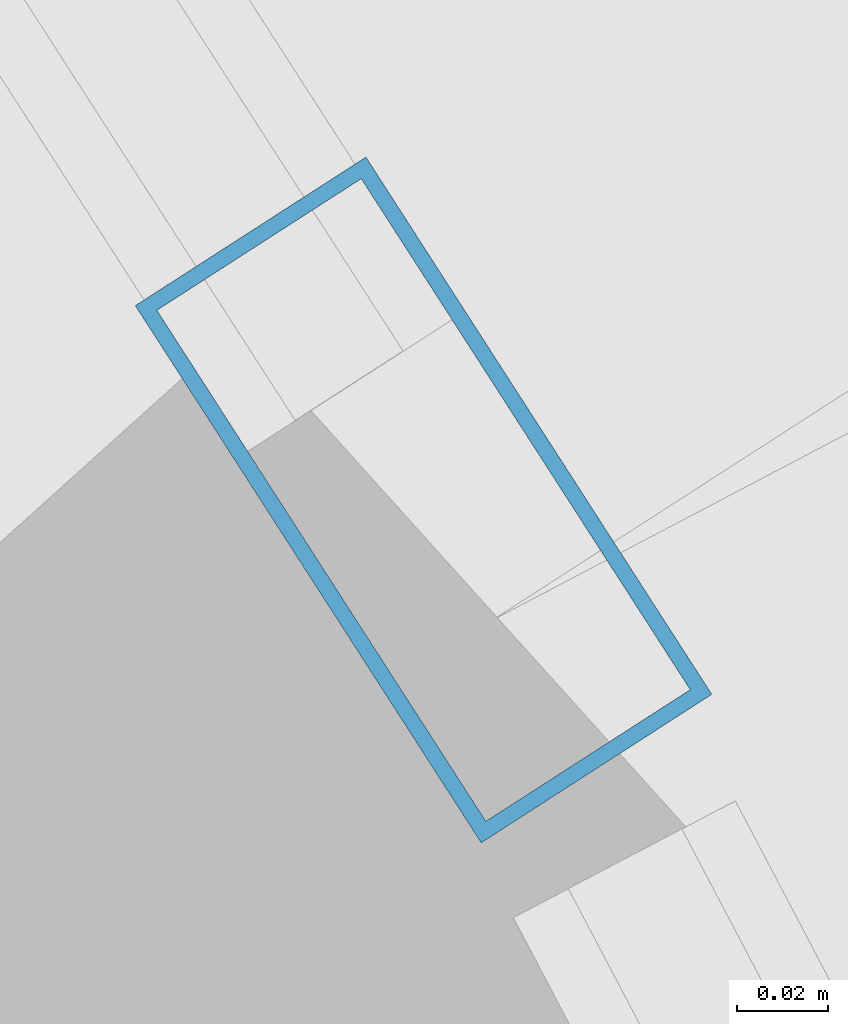
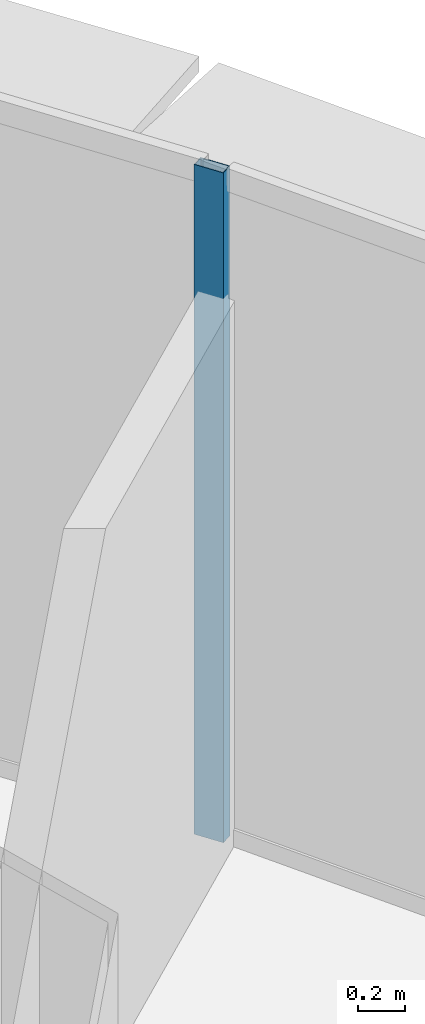
# One storey, part 18 of 34: 1 member, 1 element without a shape of its own.
"""IFC4 building model written with IfcOpenShell, lengths in metres."""

from ifc_helpers import new_model, si_unit, direction, frame, origin, origin_2d, place, context, subcontext, project, spatial, hollow_rectangle, extrude, source, transform, mapped, material, layer, layer_set, material_profile, profile_set, type_object, element, aggregate, save


model = new_model("IFC4")

# Units and contexts
model_context = context("Model", 3, precision=1e-05, world=origin(), true_north=direction((0.0, 1.0)))
body_context = subcontext(model_context, "Body", "Model", "MODEL_VIEW")
ifc_project = project(units=[si_unit("LENGTHUNIT", "METRE"), si_unit("AREAUNIT", "SQUARE_METRE"), si_unit("VOLUMEUNIT", "CUBIC_METRE"), si_unit("PLANEANGLEUNIT", "RADIAN"), si_unit("MASSUNIT", "GRAM", prefix="KILO"), si_unit("THERMODYNAMICTEMPERATUREUNIT", "KELVIN"), si_unit("POWERUNIT", "WATT")], contexts=[model_context])

# Site, building, storey
site_placement = place(None, origin())
site = spatial("IfcSite", under=ifc_project, at=site_placement, CompositionType="ELEMENT")
building_placement = place(site_placement, origin())
building = spatial("IfcBuilding", under=site, at=building_placement, Name="Yunzhuo Pagoda Commons", CompositionType="ELEMENT")
storey_placement = place(building_placement, frame((0.0, 0.0, 229.610107421875)))
storey = spatial("IfcBuildingStorey", under=building, at=storey_placement, Name="L57", CompositionType="ELEMENT", Elevation=229.610107421875)

# Curtain wall, member
ifc_material = material(Name="Anodized aluminium 6063-T6", Category="aluminium")
ifc_layer = layer(ifc_material, 0.139892578125)
ifc_layer_set = layer_set([ifc_layer], Name="Anodized aluminium 6063-T6")
curtain_wall_type = type_object("IfcCurtainWallType", Name="CW-HI High-Zone Ribbon Curtain Wall", PredefinedType="NOTDEFINED", material=ifc_layer_set)
curtain_wall_placement = place(storey_placement, origin())
curtain_wall = element("IfcCurtainWall", 1, at=curtain_wall_placement, inside=storey, type_object=curtain_wall_type, Name="L57 curtain wall CW-L57-F2B4", PredefinedType="NOTDEFINED")
ifc_material_profile = material_profile(ifc_material, hollow_rectangle(XDim=0.06005859375, YDim=0.139892578125, WallThickness=0.00341796875, at=origin_2d()), Name="Anodized aluminium 6063-T6")
ifc_profile_set = profile_set([ifc_material_profile], Name="Anodized aluminium 6063-T6")
member_type = type_object("IfcMemberType", Name="CW-HI-M Mullion RHS 140x60x3.5", PredefinedType="MULLION", material=ifc_profile_set)
shared_shape = source(origin(), body_context, "Body", "SweptSolid", [
    extrude(hollow_rectangle(XDim=0.06005859375, YDim=0.139892578125, WallThickness=0.00341796875, at=origin_2d()), origin(), (0.0, 0.0, 1.0), 3.469970703125),
])
member_placement = place(storey_placement, frame((70.9052734375, 54.364013671875, 0.0), z_axis=(0.0, 0.0, 1.0), x_axis=(-0.840807373352, -0.541334426133, 0.0)))
member = element("IfcMember", 2, at=member_placement, type_object=member_type, Name="CW mullion 1", PredefinedType="MULLION", context=body_context, shape_type="MappedRepresentation", body=[
    mapped(shared_shape, transform((0.0, 0.0, 0.0), scale=1.0)),
])
aggregate(curtain_wall, [member])

save(model, "model.ifc")
